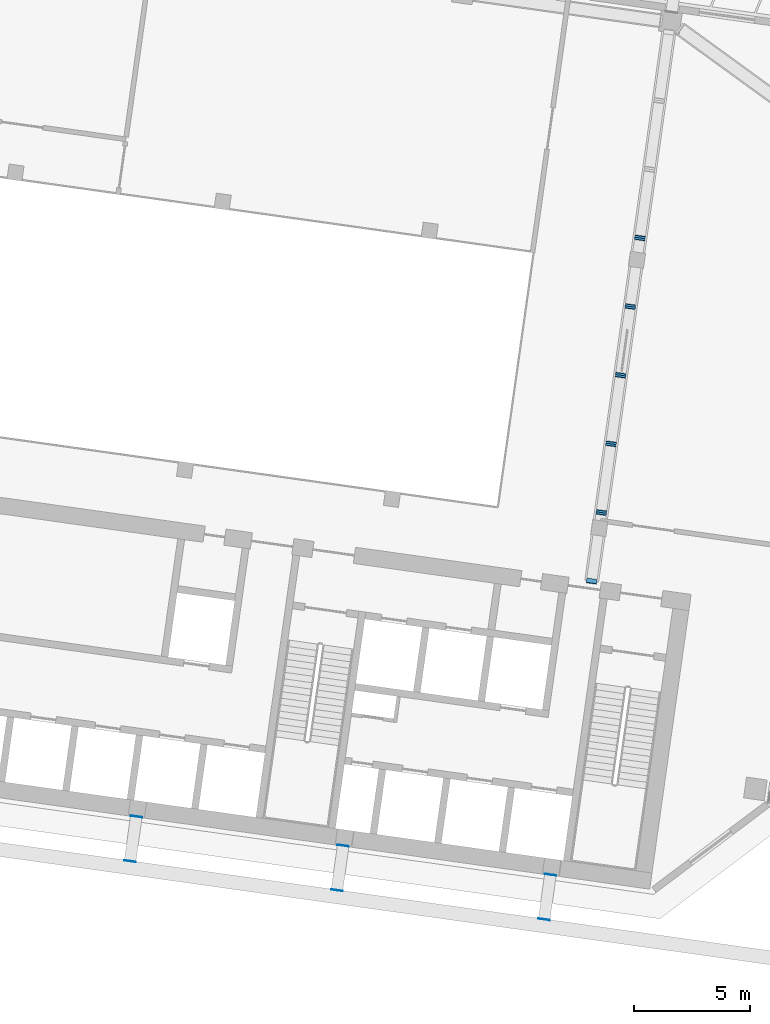
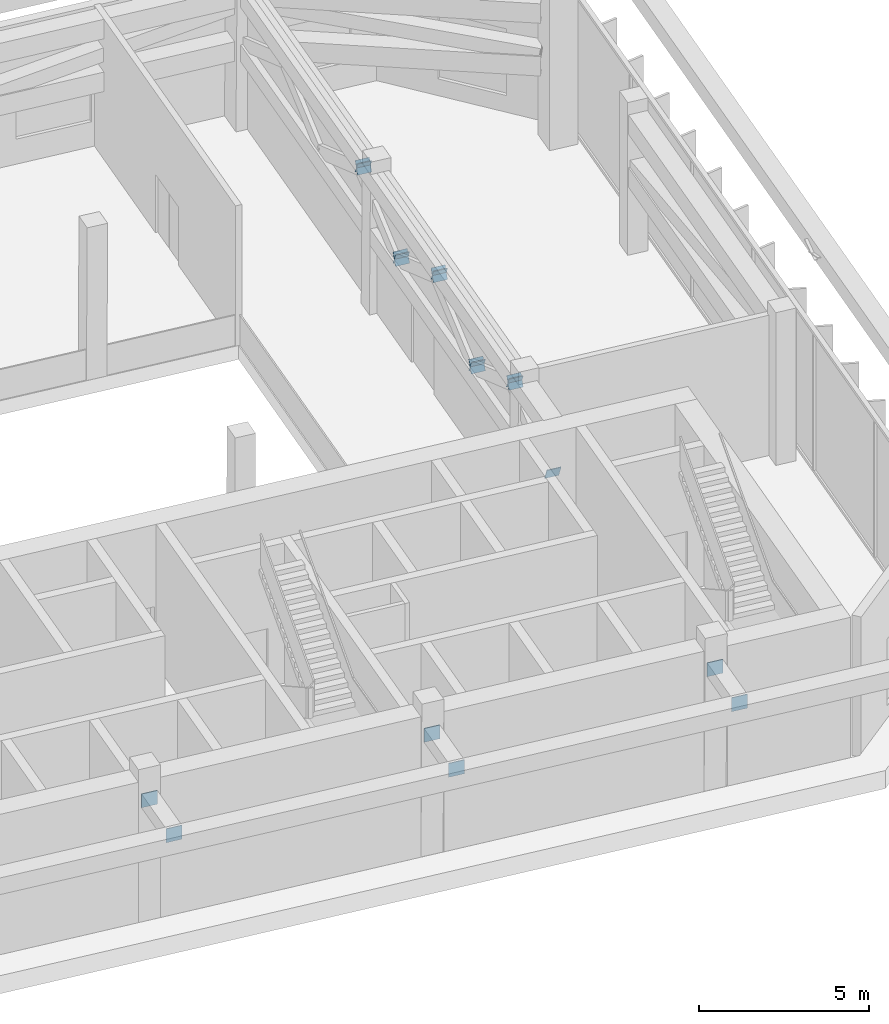
# One storey, part 30 of 41: 17 discrete accessories.
"""IFC4 building model written with IfcOpenShell, lengths in metres."""

from ifc_helpers import new_model, si_unit, direction, frame, origin, origin_2d, place, context, subcontext, project, spatial, rectangle, extrude, material, material_profile, profile_set, type_object, element, save


model = new_model("IFC4")

# Units and contexts
model_context = context("Model", 3, precision=1e-05, world=origin(), true_north=direction((0.0, 1.0)))
body_context = subcontext(model_context, "Body", "Model", "MODEL_VIEW")
ifc_project = project(units=[si_unit("LENGTHUNIT", "METRE"), si_unit("AREAUNIT", "SQUARE_METRE"), si_unit("VOLUMEUNIT", "CUBIC_METRE"), si_unit("PLANEANGLEUNIT", "RADIAN"), si_unit("MASSUNIT", "GRAM", prefix="KILO")], contexts=[model_context])

# Site, building, storey
site_placement = place(None, origin())
site = spatial("IfcSite", under=ifc_project, at=site_placement, CompositionType="ELEMENT")
building_placement = place(site_placement, origin())
building = spatial("IfcBuilding", under=site, at=building_placement, Name="Mirante Cascada Hotel Towers", CompositionType="ELEMENT")
storey_placement = place(building_placement, frame((0.0, 0.0, 151.9)))
storey = spatial("IfcBuildingStorey", under=building, at=storey_placement, Name="L35", CompositionType="ELEMENT", Elevation=151.9)

# Discrete accessories
ifc_material_1 = material(Name="Steel ASTM A572 Gr 50", Category="steel")
ifc_material_profile_1 = material_profile(ifc_material_1, rectangle(XDim=0.45, YDim=0.45, at=origin_2d()), Name="Connection plate 450x450x25 ASTM A572 Gr 50")
ifc_profile_set_1 = profile_set([ifc_material_profile_1], Name="Steel ASTM A572 Gr 50")
discrete_accessory_type_1 = type_object("IfcDiscreteAccessoryType", Name="Connection plate 450x450x25 ASTM A572 Gr 50", PredefinedType="BRACKET", material=ifc_profile_set_1)
for number, where, z_axis, x_axis, name in (
    (1, (-39.7681, -6.7279, 3.0948), (0.1280359, 0.9002521, 0.4161165), (-0.9900373, 0.1408053, 0.0), "Connection plate OR351D"),
    (2, (-39.3532, -3.7757, 4.4448), (0.1280359, 0.9002521, 0.4161165), (-0.9900373, 0.1408053, 0.0), "Connection plate OR351D"),
    (3, (-39.3532, -3.7757, 4.4552), (0.1280359, 0.9002521, -0.4161165), (-0.9900373, 0.1408053, 0.0), "Connection plate OR351D"),
):
    element("IfcDiscreteAccessory", number, at=place(storey_placement, frame(where, z_axis=z_axis, x_axis=x_axis)), inside=storey, type_object=discrete_accessory_type_1, Name=name, PredefinedType="BRACKET", context=body_context, shape_type="SweptSolid", body=[
        extrude(rectangle(XDim=0.45, YDim=0.45, at=origin_2d()), origin(), (0.0, 0.0, 1.0), 0.025),
    ])
for number, where, z_axis, x_axis, name in (
    (4, (-38.9382, -0.8235, 3.1052), (0.1236513, 0.9014579, -0.4148302), (-0.9907232, 0.1358957, 0.0), "Connection plate OR351D"),
    (5, (-38.9382, -0.8235, 3.0948), (0.1236513, 0.9014579, 0.4148302), (-0.9907232, 0.1358957, 0.0), "Connection plate OR351D"),
):
    element("IfcDiscreteAccessory", number, at=place(storey_placement, frame(where, z_axis=z_axis, x_axis=x_axis)), inside=storey, type_object=discrete_accessory_type_1, Name=name, PredefinedType="BRACKET", context=body_context, shape_type="SweptSolid", body=[
        extrude(rectangle(XDim=0.45, YDim=0.45, at=origin_2d()), origin(), (0.0, 0.0, 1.0), 0.0251),
    ])
for number, where, z_axis, x_axis, name in (
    (6, (-38.5233, 2.1288, 4.4448), (0.1240973, 0.9007064, 0.4163265), (-0.9906417, 0.1364884, 0.0), "Connection plate OR351D"),
    (7, (-38.5233, 2.1288, 4.4552), (0.1240973, 0.9007064, -0.4163265), (-0.9906417, 0.1364884, 0.0), "Connection plate OR351D"),
):
    element("IfcDiscreteAccessory", number, at=place(storey_placement, frame(where, z_axis=z_axis, x_axis=x_axis)), inside=storey, type_object=discrete_accessory_type_1, Name=name, PredefinedType="BRACKET", context=body_context, shape_type="SweptSolid", body=[
        extrude(rectangle(XDim=0.45, YDim=0.45, at=origin_2d()), origin(), (0.0, 0.0, 1.0), 0.025),
    ])
for number, where, z_axis, x_axis, name in (
    (8, (-38.1084, 5.081, 3.1052), (0.1236513, 0.9014579, -0.4148302), (-0.9907232, 0.1358957, 0.0), "Connection plate OR351D"),
    (9, (-38.1084, 5.081, 3.0948), (0.1236513, 0.9014579, 0.4148302), (-0.9907232, 0.1358957, 0.0), "Connection plate OR351D"),
    (10, (-37.6935, 8.0332, 4.4448), (0.1275761, 0.9010064, 0.4146224), (-0.990124, 0.1401945, 0.0), "Connection plate OR351D"),
    (11, (-37.6935, 8.0332, 4.4552), (0.1275761, 0.9010064, -0.4146224), (-0.990124, 0.1401945, 0.0), "Connection plate OR351D"),
):
    element("IfcDiscreteAccessory", number, at=place(storey_placement, frame(where, z_axis=z_axis, x_axis=x_axis)), inside=storey, type_object=discrete_accessory_type_1, Name=name, PredefinedType="BRACKET", context=body_context, shape_type="SweptSolid", body=[
        extrude(rectangle(XDim=0.45, YDim=0.45, at=origin_2d()), origin(), (0.0, 0.0, 1.0), 0.0251),
    ])
ifc_material_2 = material(Name="Steel ASTM A572 Gr 50", Category="steel")
ifc_material_profile_2 = material_profile(ifc_material_2, rectangle(XDim=0.5, YDim=0.5, at=origin_2d()), Name="Connection plate 500x500x25 ASTM A572 Gr 50")
ifc_profile_set_2 = profile_set([ifc_material_profile_2], Name="Steel ASTM A572 Gr 50")
discrete_accessory_type_2 = type_object("IfcDiscreteAccessoryType", Name="Connection plate 500x500x25 ASTM A572 Gr 50", PredefinedType="BRACKET", material=ifc_profile_set_2)
for number, where, z_axis, x_axis, name in (
    (12, (-41.5392, -19.3302, 4.35), (-0.1397442, -0.9901876, 0.0), (0.9901876, -0.1397442, 0.0), "Connection plate TIE"),
    (13, (-41.8092, -21.2513, 4.35), (-0.1397442, -0.9901876, 0.0), (0.9901876, -0.1397442, 0.0), "Connection plate TIE"),
):
    element("IfcDiscreteAccessory", number, at=place(storey_placement, frame(where, z_axis=z_axis, x_axis=x_axis)), inside=storey, type_object=discrete_accessory_type_2, Name=name, PredefinedType="BRACKET", context=body_context, shape_type="SweptSolid", body=[
        extrude(rectangle(XDim=0.5, YDim=0.5, at=origin_2d()), origin(), (0.0, 0.0, 1.0), 0.025),
    ])
for number, where, z_axis, x_axis, name in (
    (14, (-50.4516, -18.0777, 4.35), (-0.1402989, -0.9901092, 0.0), (0.9901092, -0.1402989, 0.0), "Connection plate TIE"),
    (15, (-50.7216, -19.9988, 4.35), (-0.1402989, -0.9901092, 0.0), (0.9901092, -0.1402989, 0.0), "Connection plate TIE"),
    (16, (-59.3492, -16.8272, 4.35), (-0.136366, -0.9906585, 0.0), (0.9906585, -0.136366, 0.0), "Connection plate TIE"),
):
    element("IfcDiscreteAccessory", number, at=place(storey_placement, frame(where, z_axis=z_axis, x_axis=x_axis)), inside=storey, type_object=discrete_accessory_type_2, Name=name, PredefinedType="BRACKET", context=body_context, shape_type="SweptSolid", body=[
        extrude(rectangle(XDim=0.5, YDim=0.5, at=origin_2d()), origin(), (0.0, 0.0, 1.0), 0.0249),
    ])
discrete_accessory_placement = place(storey_placement, frame((-59.6192, -18.7483, 4.35), z_axis=(-0.1358263, -0.9907327, 0.0), x_axis=(0.9907327, -0.1358263, 0.0)))
element("IfcDiscreteAccessory", 17, at=discrete_accessory_placement, inside=storey, type_object=discrete_accessory_type_2, Name="Connection plate TIE", PredefinedType="BRACKET", context=body_context, shape_type="SweptSolid", body=[
    extrude(rectangle(XDim=0.5, YDim=0.5, at=origin_2d()), origin(), (0.0, 0.0, 1.0), 0.025),
])

save(model, "model.ifc")
